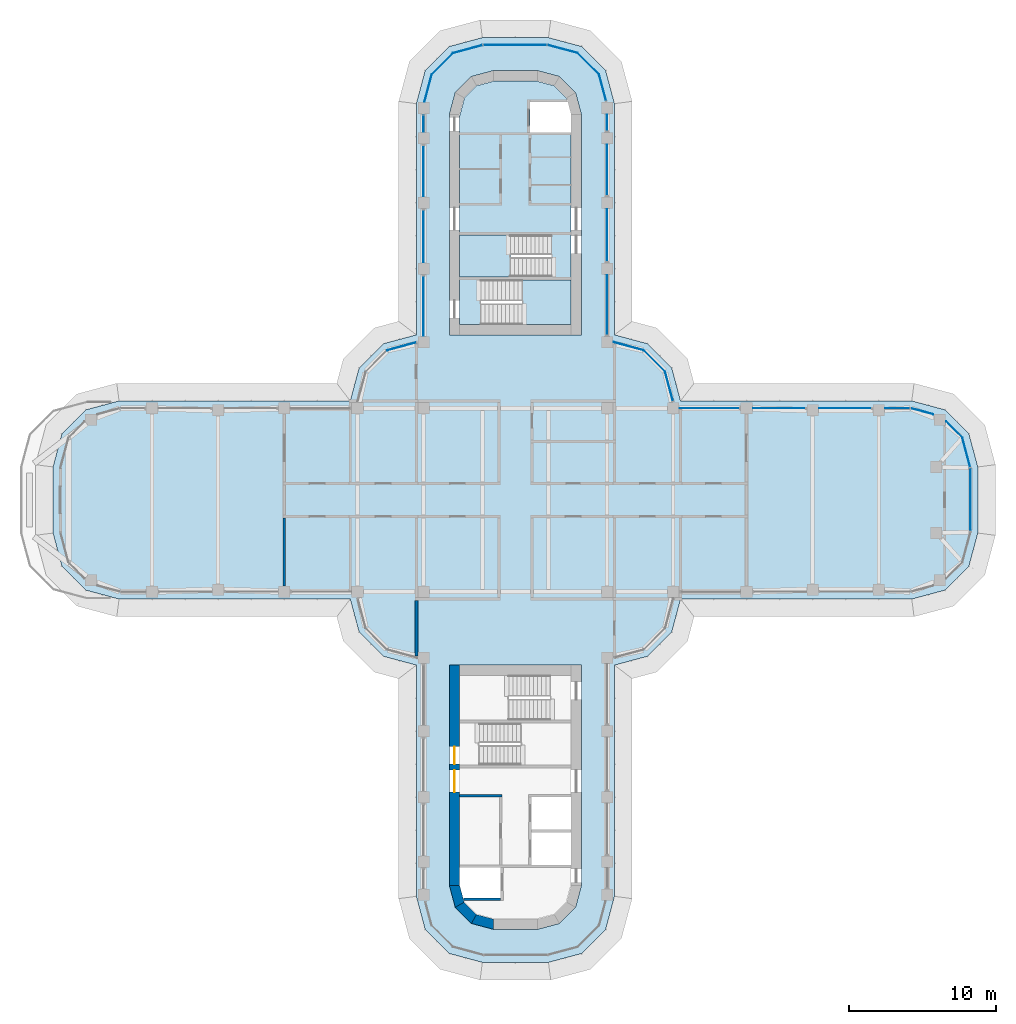
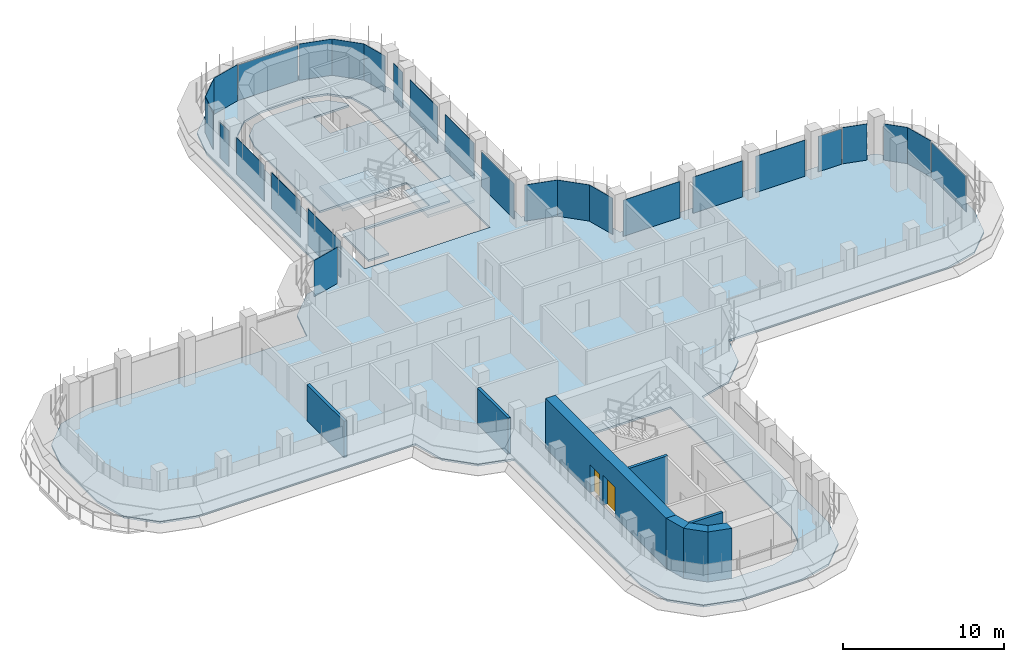
# One storey, part 13 of 20: 27 plates, 8 walls, 4 slabs, 2 doors, 2 openings, 20 elements without a shape of their own.
"""IFC4 building model written with IfcOpenShell, lengths in metres."""

from ifc_helpers import new_model, si_unit, direction, frame, frame_2d, origin, place, context, subcontext, project, spatial, polyline, rectangle, outline, extrude, source, transform, mapped, material, layer, layer_set, type_object, element, fill, aggregate, save


model = new_model("IFC4")

# Units and contexts
model_context = context("Model", 3, precision=1e-05, world=origin(), true_north=direction((0.0, 1.0)))
body_context = subcontext(model_context, "Body", "Model", "MODEL_VIEW")
ifc_project = project(units=[si_unit("LENGTHUNIT", "METRE"), si_unit("AREAUNIT", "SQUARE_METRE"), si_unit("VOLUMEUNIT", "CUBIC_METRE"), si_unit("PLANEANGLEUNIT", "RADIAN"), si_unit("MASSUNIT", "GRAM", prefix="KILO")], contexts=[model_context])

# Site, building, storey
site_placement = place(None, origin())
site = spatial("IfcSite", under=ifc_project, at=site_placement, CompositionType="ELEMENT")
building_placement = place(site_placement, origin())
building = spatial("IfcBuilding", under=site, at=building_placement, Name="Zarbagh Exchange Tower", CompositionType="ELEMENT")
storey_placement = place(building_placement, frame((0.0, 0.0, 186.60009765625)))
storey = spatial("IfcBuildingStorey", under=building, at=storey_placement, Name="L45", CompositionType="ELEMENT", Elevation=186.60009765625)

# Slabs
ifc_material_1 = material(Name="Concrete C40/50", Category="concrete")
ifc_layer_1 = layer(ifc_material_1, 0.14990234375)
ifc_layer_set_1 = layer_set([ifc_layer_1], Name="Composite floor slab 150 C40/50")
slab_type_1 = type_object("IfcSlabType", Name="Composite floor slab 150 C40/50", PredefinedType="FLOOR", material=ifc_layer_set_1)
slab_1_placement = place(storey_placement, frame((0.0, 0.0, -0.150146484375)))
element("IfcSlab", 1, at=slab_1_placement, inside=storey, type_object=slab_type_1, Name="S5 composite floor slab", PredefinedType="FLOOR", context=body_context, shape_type="SweptSolid", body=[
    extrude(outline(polyline([(-2.25, -31.5), (-4.5, -30.897216796875), (-6.147216796875, -29.25), (-6.75, -27.0), (-6.75, -11.25), (-9.0, -10.647216796875), (-10.647216796875, -9.0), (-11.25, -6.75), (-27.0, -6.75), (-29.25, -6.147216796875), (-30.897216796875, -4.5), (-31.5, -2.25), (-31.5, 2.25), (-30.897216796875, 4.5), (-29.25, 6.147216796875), (-27.0, 6.75), (-11.25, 6.75), (-10.647216796875, 9.0), (-9.0, 10.647216796875), (-6.75, 11.25), (-6.75, 27.0), (-6.147216796875, 29.25), (-4.5, 30.897216796875), (-2.25, 31.5), (2.25, 31.5), (4.5, 30.897216796875), (6.147216796875, 29.25), (6.75, 27.0), (6.75, 11.25), (9.0, 10.647216796875), (10.647216796875, 9.0), (11.25, 6.75), (27.0, 6.75), (29.25, 6.147216796875), (30.897216796875, 4.5), (31.5, 2.25), (31.5, -2.25), (30.897216796875, -4.5), (29.25, -6.147216796875), (27.0, -6.75), (11.25, -6.75), (10.647216796875, -9.0), (9.0, -10.647216796875), (6.75, -11.25), (6.75, -27.0), (6.147216796875, -29.25), (4.5, -30.897216796875), (2.25, -31.5), (-2.25, -31.5)]), holes=[polyline([(4.5, 11.25), (4.5, 26.25), (4.09814453125, 27.75), (3.0, 28.84814453125), (1.5, 29.25), (-1.5, 29.25), (-3.0, 28.84814453125), (-4.09814453125, 27.75), (-4.5, 26.25), (-4.5, 11.25), (4.5, 11.25)]), polyline([(-1.5, -29.25), (1.5, -29.25), (3.0, -28.84814453125), (4.09814453125, -27.75), (4.5, -26.25), (4.5, -11.25), (-4.5, -11.25), (-4.5, -26.25), (-4.09814453125, -27.75), (-3.0, -28.84814453125), (-1.5, -29.25)])]), origin(), (0.0, 0.0, 1.0), 0.150146484375),
])
ifc_layer_2 = layer(ifc_material_1, 0.14990234375)
ifc_layer_set_2 = layer_set([ifc_layer_2], Name="Core floor slab 150 C40/50")
slab_type_2 = type_object("IfcSlabType", Name="Core floor slab 150 C40/50", PredefinedType="FLOOR", material=ifc_layer_set_2)
slab_2_placement = place(storey_placement, frame((0.0, 0.0, -0.150146484375)))
element("IfcSlab", 2, at=slab_2_placement, inside=storey, type_object=slab_type_2, Name="S17 core N", PredefinedType="FLOOR", context=body_context, shape_type="SweptSolid", body=[
    extrude(outline(polyline([(-3.800048828125, 11.949951171875), (-3.800048828125, 15.199951171875), (2.449951171875, 15.199951171875), (2.449951171875, 18.050048828125), (-3.800048828125, 18.050048828125), (-3.800048828125, 26.15771484375), (-3.470458984375, 27.3876953125), (-2.6376953125, 28.220458984375), (-1.40771484375, 28.550048828125), (1.40771484375, 28.550048828125), (2.6376953125, 28.220458984375), (3.470458984375, 27.3876953125), (3.800048828125, 26.15771484375), (3.800048828125, 26.15771484375), (3.547607421875, 27.10009765625), (1.0, 27.10009765625), (1.0, 25.050048828125), (3.800048828125, 25.050048828125), (3.800048828125, 15.0), (-2.35009765625, 15.0), (-2.35009765625, 11.949951171875), (-3.800048828125, 11.949951171875)])), origin(), (0.0, 0.0, 1.0), 0.150146484375),
])

# Stair, slab
stair_type = type_object("IfcStairType", Name="Exit stair two-flight half-turn", PredefinedType="HALF_TURN_STAIR", material=ifc_material_1)
stair_1_placement = place(storey_placement, origin())
stair_1 = element("IfcStair", 3, at=stair_1_placement, inside=storey, type_object=stair_type, Name="exit stair ST1", PredefinedType="HALF_TURN_STAIR")
ifc_layer_3 = layer(ifc_material_1, 0.199951171875)
ifc_layer_set_3 = layer_set([ifc_layer_3], Name="Stair landing 200 mm")
slab_type_3 = type_object("IfcSlabType", Name="Stair landing 200 mm", PredefinedType="LANDING", material=ifc_layer_set_3)
slab_3_placement = place(storey_placement, frame((0.0, 0.0, 1.699951171875)))
slab_3 = element("IfcSlab", 4, at=slab_3_placement, type_object=slab_type_3, Name="ST1 landing 1", PredefinedType="LANDING", context=body_context, shape_type="SweptSolid", body=[
    extrude(outline(polyline([(-0.35009765625, 18.050048828125), (-3.800048828125, 18.050048828125), (-3.800048828125, 15.199951171875), (-0.35009765625, 15.199951171875), (-0.35009765625, 18.050048828125)])), origin(), (0.0, 0.0, 1.0), 0.199951171875),
])
aggregate(stair_1, [slab_3])

stair_2_placement = place(storey_placement, origin())
stair_2 = element("IfcStair", 5, at=stair_2_placement, inside=storey, type_object=stair_type, Name="exit stair ST2", PredefinedType="HALF_TURN_STAIR")
slab_4_placement = place(storey_placement, frame((0.0, 0.0, 1.699951171875)))
slab_4 = element("IfcSlab", 6, at=slab_4_placement, type_object=slab_type_3, Name="ST2 landing 1", PredefinedType="LANDING", context=body_context, shape_type="SweptSolid", body=[
    extrude(outline(polyline([(0.449951171875, 11.949951171875), (3.800048828125, 11.949951171875), (3.800048828125, 15.0), (0.449951171875, 15.0), (0.449951171875, 11.949951171875)])), origin(), (0.0, 0.0, 1.0), 0.199951171875),
])
aggregate(stair_2, [slab_4])

# Curtain wall, plate
ifc_material_2 = material(Name="Anodised aluminium frame and glazing", Category="aluminium")
curtain_wall_type = type_object("IfcCurtainWallType", Name="CWB Ribbon glazing, upper zones", PredefinedType="NOTDEFINED", material=ifc_material_2)
curtain_wall_1_placement = place(storey_placement, origin())
curtain_wall_1 = element("IfcCurtainWall", 7, at=curtain_wall_1_placement, inside=storey, type_object=curtain_wall_type, Name="CWB18 curtain wall", PredefinedType="NOTDEFINED")
ifc_material_3 = material(Name="Low-e double glazed unit, 6+12+6 mm")
ifc_layer_4 = layer(ifc_material_3, 0.031982421875)
ifc_layer_set_4 = layer_set([ifc_layer_4], Name="PAB Glazing panel, Low-e double glazed unit, 6+12+6 mm")
plate_type = type_object("IfcPlateType", Name="PAB Glazing panel, Low-e double glazed unit, 6+12+6 mm", PredefinedType="CURTAIN_PANEL", material=ifc_layer_set_4)
shared_shape_1 = source(origin(), body_context, "Body", "SweptSolid", [
    extrude(outline(polyline([(0.0, -0.01611328125), (2.061279296875, -0.01611328125), (2.061279296875, 0.01611328125), (0.0, 0.01611328125), (0.0, -0.01611328125)])), origin(), (0.0, 0.0, 1.0), 2.75),
])
placement = place(storey_placement, origin())
plate_1 = element("IfcPlate", 8, at=placement, type_object=plate_type, Name="CWB18 glazing panel 1.1", PredefinedType="CURTAIN_PANEL", context=body_context, shape_type="MappedRepresentation", body=[
    mapped(shared_shape_1, transform((10.19873046875, 8.7412109375, 0.0), x_axis=(-0.707106781187, 0.707106781187, 0.0), y_axis=(-0.707106781187, -0.707106781187, 0.0), z_axis=(0.0, 0.0, 1.0))),
])
aggregate(curtain_wall_1, [plate_1])

curtain_wall_2_placement = place(storey_placement, origin())
curtain_wall_2 = element("IfcCurtainWall", 9, at=curtain_wall_2_placement, inside=storey, type_object=curtain_wall_type, Name="CWB22 curtain wall", PredefinedType="NOTDEFINED")
plate_2 = element("IfcPlate", 10, at=placement, type_object=plate_type, Name="CWB22 glazing panel 1.1", PredefinedType="CURTAIN_PANEL", context=body_context, shape_type="MappedRepresentation", body=[
    mapped(shared_shape_1, transform((5.69873046875, 28.9912109375, 0.0), x_axis=(-0.707106781187, 0.707106781187, 0.0), y_axis=(-0.707106781187, -0.707106781187, 0.0), z_axis=(0.0, 0.0, 1.0))),
])
aggregate(curtain_wall_2, [plate_2])

curtain_wall_3_placement = place(storey_placement, origin())
curtain_wall_3 = element("IfcCurtainWall", 11, at=curtain_wall_3_placement, inside=storey, type_object=curtain_wall_type, Name="CWB26 curtain wall", PredefinedType="NOTDEFINED")
plate_3 = element("IfcPlate", 12, at=placement, type_object=plate_type, Name="CWB26 glazing panel 1.1", PredefinedType="CURTAIN_PANEL", context=body_context, shape_type="MappedRepresentation", body=[
    mapped(shared_shape_1, transform((-4.2412109375, 30.44873046875, 0.0), x_axis=(-0.707106781187, -0.707106781187, 0.0), y_axis=(0.707106781187, -0.707106781187, 0.0), z_axis=(0.0, 0.0, 1.0))),
])
aggregate(curtain_wall_3, [plate_3])

curtain_wall_4_placement = place(storey_placement, origin())
curtain_wall_4 = element("IfcCurtainWall", 13, at=curtain_wall_4_placement, inside=storey, type_object=curtain_wall_type, Name="CWB23 curtain wall", PredefinedType="NOTDEFINED")
shared_shape_2 = source(origin(), body_context, "Body", "SweptSolid", [
    extrude(outline(polyline([(0.0, -0.01611328125), (2.129638671875, -0.01611328125), (2.129638671875, 0.01611328125), (0.0, 0.01611328125), (0.0, -0.01611328125)])), origin(), (0.0, 0.0, 1.0), 2.75),
])
plate_4 = element("IfcPlate", 14, at=placement, type_object=plate_type, Name="CWB23 glazing panel 1.1", PredefinedType="CURTAIN_PANEL", context=body_context, shape_type="MappedRepresentation", body=[
    mapped(shared_shape_2, transform((4.2412109375, 30.44873046875, 0.0), x_axis=(-0.965924289636, 0.258824779902, 0.0), y_axis=(-0.258824779902, -0.965924289636, 0.0), z_axis=(0.0, 0.0, 1.0))),
])
aggregate(curtain_wall_4, [plate_4])

curtain_wall_5_placement = place(storey_placement, origin())
curtain_wall_5 = element("IfcCurtainWall", 15, at=curtain_wall_5_placement, inside=storey, type_object=curtain_wall_type, Name="CWB20 curtain wall", PredefinedType="NOTDEFINED")
shared_shape_3 = source(origin(), body_context, "Body", "SweptSolid", [
    extrude(outline(polyline([(0.0, -0.01611328125), (3.4599609375, -0.01611328125), (3.4599609375, 0.01611328125), (0.0, 0.01611328125), (0.0, -0.01611328125)])), origin(), (0.0, 0.0, 1.0), 2.75),
])
plate_5 = element("IfcPlate", 16, at=placement, type_object=plate_type, Name="CWB20 glazing panel 3.1", PredefinedType="CURTAIN_PANEL", context=body_context, shape_type="MappedRepresentation", body=[
    mapped(shared_shape_3, transform((6.25, 20.75, 0.0), x_axis=(0.0, 1.0, 0.0), y_axis=(-1.0, 0.0, 0.0), z_axis=(0.0, 0.0, 1.0))),
])

curtain_wall_6_placement = place(storey_placement, origin())
curtain_wall_6 = element("IfcCurtainWall", 17, at=curtain_wall_6_placement, inside=storey, type_object=curtain_wall_type, Name="CWB28 curtain wall", PredefinedType="NOTDEFINED")
plate_6 = element("IfcPlate", 18, at=placement, type_object=plate_type, Name="CWB28 glazing panel 2.1", PredefinedType="CURTAIN_PANEL", context=body_context, shape_type="MappedRepresentation", body=[
    mapped(shared_shape_3, transform((-6.25, 24.14990234375, 0.0), x_axis=(0.0, -1.0, 0.0), y_axis=(1.0, 0.0, 0.0), z_axis=(0.0, 0.0, 1.0))),
])

# Curtain wall, plates
curtain_wall_7_placement = place(storey_placement, origin())
curtain_wall_7 = element("IfcCurtainWall", 19, at=curtain_wall_7_placement, inside=storey, type_object=curtain_wall_type, Name="CWB16 curtain wall", PredefinedType="NOTDEFINED")
shared_shape_4 = source(origin(), body_context, "Body", "SweptSolid", [
    extrude(outline(polyline([(0.0, -0.01611328125), (3.56005859375, -0.01611328125), (3.56005859375, 0.01611328125), (0.0, 0.01611328125), (0.0, -0.01611328125)])), origin(), (0.0, 0.0, 1.0), 2.75),
])
plate_7 = element("IfcPlate", 20, at=placement, type_object=plate_type, Name="CWB16 glazing panel 2.1", PredefinedType="CURTAIN_PANEL", context=body_context, shape_type="MappedRepresentation", body=[
    mapped(shared_shape_4, transform((24.25, 6.25, 0.0), x_axis=(-1.0, 0.0, 0.0), y_axis=(0.0, -1.0, 0.0), z_axis=(0.0, 0.0, 1.0))),
])
plate_8 = element("IfcPlate", 21, at=placement, type_object=plate_type, Name="CWB16 glazing panel 3.1", PredefinedType="CURTAIN_PANEL", context=body_context, shape_type="MappedRepresentation", body=[
    mapped(shared_shape_4, transform((19.75, 6.25, 0.0), x_axis=(-1.0, 0.0, 0.0), y_axis=(0.0, -1.0, 0.0), z_axis=(0.0, 0.0, 1.0))),
])

# Plate
plate_9 = element("IfcPlate", 22, at=placement, type_object=plate_type, Name="CWB20 glazing panel 2.1", PredefinedType="CURTAIN_PANEL", context=body_context, shape_type="MappedRepresentation", body=[
    mapped(shared_shape_4, transform((6.25, 16.25, 0.0), x_axis=(0.0, 1.0, 0.0), y_axis=(-1.0, 0.0, 0.0), z_axis=(0.0, 0.0, 1.0))),
])

plate_10 = element("IfcPlate", 23, at=placement, type_object=plate_type, Name="CWB28 glazing panel 3.1", PredefinedType="CURTAIN_PANEL", context=body_context, shape_type="MappedRepresentation", body=[
    mapped(shared_shape_4, transform((-6.25, 19.75, 0.0), x_axis=(0.0, -1.0, 0.0), y_axis=(1.0, 0.0, 0.0), z_axis=(0.0, 0.0, 1.0))),
])

shared_shape_5 = source(origin(), body_context, "Body", "SweptSolid", [
    extrude(outline(polyline([(0.0, -0.01611328125), (4.06005859375, -0.01611328125), (4.06005859375, 0.01611328125), (0.0, 0.01611328125), (0.0, -0.01611328125)])), origin(), (0.0, 0.0, 1.0), 2.75),
])
plate_11 = element("IfcPlate", 24, at=placement, type_object=plate_type, Name="CWB16 glazing panel 4.1", PredefinedType="CURTAIN_PANEL", context=body_context, shape_type="MappedRepresentation", body=[
    mapped(shared_shape_5, transform((15.25, 6.25, 0.0), x_axis=(-1.0, 0.0, 0.0), y_axis=(0.0, -1.0, 0.0), z_axis=(0.0, 0.0, 1.0))),
])

plate_12 = element("IfcPlate", 25, at=placement, type_object=plate_type, Name="CWB28 glazing panel 4.1", PredefinedType="CURTAIN_PANEL", context=body_context, shape_type="MappedRepresentation", body=[
    mapped(shared_shape_5, transform((-6.25, 15.25, 0.0), x_axis=(0.0, -1.0, 0.0), y_axis=(1.0, 0.0, 0.0), z_axis=(0.0, 0.0, 1.0))),
])

# Curtain wall, plate
curtain_wall_8_placement = place(storey_placement, origin())
curtain_wall_8 = element("IfcCurtainWall", 26, at=curtain_wall_8_placement, inside=storey, type_object=curtain_wall_type, Name="CWB17 curtain wall", PredefinedType="NOTDEFINED")
shared_shape_6 = source(origin(), body_context, "Body", "SweptSolid", [
    extrude(outline(polyline([(0.0, -0.01611328125), (2.063720703125, -0.01611328125), (2.063720703125, 0.01611328125), (0.0, 0.01611328125), (0.0, -0.01611328125)])), origin(), (0.0, 0.0, 1.0), 2.75),
])
plate_13 = element("IfcPlate", 27, at=placement, type_object=plate_type, Name="CWB17 glazing panel 1.1", PredefinedType="CURTAIN_PANEL", context=body_context, shape_type="MappedRepresentation", body=[
    mapped(shared_shape_6, transform((10.73291015625, 6.748046875, 0.0), x_axis=(-0.258824779902, 0.965924289636, 0.0), y_axis=(-0.965924289636, -0.258824779902, 0.0), z_axis=(0.0, 0.0, 1.0))),
])
aggregate(curtain_wall_8, [plate_13])

curtain_wall_9_placement = place(storey_placement, origin())
curtain_wall_9 = element("IfcCurtainWall", 28, at=curtain_wall_9_placement, inside=storey, type_object=curtain_wall_type, Name="CWB29 curtain wall", PredefinedType="NOTDEFINED")
plate_14 = element("IfcPlate", 29, at=placement, type_object=plate_type, Name="CWB29 glazing panel 1.1", PredefinedType="CURTAIN_PANEL", context=body_context, shape_type="MappedRepresentation", body=[
    mapped(shared_shape_6, transform((-6.748046875, 10.73291015625, 0.0), x_axis=(-0.965924289636, -0.258824779902, 0.0), y_axis=(0.258824779902, -0.965924289636, 0.0), z_axis=(0.0, 0.0, 1.0))),
])
aggregate(curtain_wall_9, [plate_14])

curtain_wall_10_placement = place(storey_placement, origin())
curtain_wall_10 = element("IfcCurtainWall", 30, at=curtain_wall_10_placement, inside=storey, type_object=curtain_wall_type, Name="CWB19 curtain wall", PredefinedType="NOTDEFINED")
shared_shape_7 = source(origin(), body_context, "Body", "SweptSolid", [
    extrude(outline(polyline([(0.0, -0.01611328125), (2.12353515625, -0.01611328125), (2.12353515625, 0.01611328125), (0.0, 0.01611328125), (0.0, -0.01611328125)])), origin(), (0.0, 0.0, 1.0), 2.75),
])
plate_15 = element("IfcPlate", 31, at=placement, type_object=plate_type, Name="CWB19 glazing panel 1.1", PredefinedType="CURTAIN_PANEL", context=body_context, shape_type="MappedRepresentation", body=[
    mapped(shared_shape_7, transform((8.7412109375, 10.19873046875, 0.0), x_axis=(-0.965924289636, 0.258824779902, 0.0), y_axis=(-0.258824779902, -0.965924289636, 0.0), z_axis=(0.0, 0.0, 1.0))),
])
aggregate(curtain_wall_10, [plate_15])

# Plate
shared_shape_8 = source(origin(), body_context, "Body", "SweptSolid", [
    extrude(outline(polyline([(0.0, -0.01611328125), (4.06005859375, -0.01611328125), (4.06005859375, 0.01611328125), (0.0, 0.01611328125), (0.0, -0.01611328125)])), origin(), (0.0, 0.0, 1.0), 2.68994140625),
])
plate_16 = element("IfcPlate", 32, at=placement, type_object=plate_type, Name="CWB20 glazing panel 1.1", PredefinedType="CURTAIN_PANEL", context=body_context, shape_type="MappedRepresentation", body=[
    mapped(shared_shape_8, transform((6.25, 11.25, 0.0), x_axis=(0.0, 1.0, 0.0), y_axis=(-1.0, 0.0, 0.0), z_axis=(0.0, 0.0, 1.0))),
])

# Curtain wall, plate
curtain_wall_11_placement = place(storey_placement, origin())
curtain_wall_11 = element("IfcCurtainWall", 33, at=curtain_wall_11_placement, inside=storey, type_object=curtain_wall_type, Name="CWB14 curtain wall", PredefinedType="NOTDEFINED")
shared_shape_9 = source(origin(), body_context, "Body", "SweptSolid", [
    extrude(outline(polyline([(0.0, -0.01611328125), (1.556884765625, -0.01611328125), (1.556884765625, 0.01611328125), (0.0, 0.01611328125), (0.0, -0.01611328125)])), origin(), (0.0, 0.0, 1.0), 2.75),
])
plate_17 = element("IfcPlate", 34, at=placement, type_object=plate_type, Name="CWB14 glazing panel 1.1", PredefinedType="CURTAIN_PANEL", context=body_context, shape_type="MappedRepresentation", body=[
    mapped(shared_shape_9, transform((30.44873046875, 4.2412109375, 0.0), x_axis=(-0.707106781187, 0.707106781187, 0.0), y_axis=(-0.707106781187, -0.707106781187, 0.0), z_axis=(0.0, 0.0, 1.0))),
])
aggregate(curtain_wall_11, [plate_17])

curtain_wall_12_placement = place(storey_placement, origin())
curtain_wall_12 = element("IfcCurtainWall", 35, at=curtain_wall_12_placement, inside=storey, type_object=curtain_wall_type, Name="CWB12 curtain wall", PredefinedType="NOTDEFINED")
shared_shape_10 = source(origin(), body_context, "Body", "SweptSolid", [
    extrude(outline(polyline([(0.0, -0.01611328125), (4.308349609375, -0.01611328125), (4.308349609375, 0.01611328125), (0.0, 0.01611328125), (0.0, -0.01611328125)])), origin(), (0.0, 0.0, 1.0), 2.68994140625),
])
plate_18 = element("IfcPlate", 36, at=placement, type_object=plate_type, Name="CWB12 glazing panel 1.1", PredefinedType="CURTAIN_PANEL", context=body_context, shape_type="MappedRepresentation", body=[
    mapped(shared_shape_10, transform((31.0, -2.124267578125, 0.0), x_axis=(0.0, 1.0, 0.0), y_axis=(-1.0, 0.0, 0.0), z_axis=(0.0, 0.0, 1.0))),
])
aggregate(curtain_wall_12, [plate_18])

curtain_wall_13_placement = place(storey_placement, origin())
curtain_wall_13 = element("IfcCurtainWall", 37, at=curtain_wall_13_placement, inside=storey, type_object=curtain_wall_type, Name="CWB24 curtain wall", PredefinedType="NOTDEFINED")
plate_19 = element("IfcPlate", 38, at=placement, type_object=plate_type, Name="CWB24 glazing panel 1.1", PredefinedType="CURTAIN_PANEL", context=body_context, shape_type="MappedRepresentation", body=[
    mapped(shared_shape_10, transform((2.124267578125, 31.0, 0.0), x_axis=(-1.0, 0.0, 0.0), y_axis=(0.0, -1.0, 0.0), z_axis=(0.0, 0.0, 1.0))),
])
aggregate(curtain_wall_13, [plate_19])

curtain_wall_14_placement = place(storey_placement, origin())
curtain_wall_14 = element("IfcCurtainWall", 39, at=curtain_wall_14_placement, inside=storey, type_object=curtain_wall_type, Name="CWB13 curtain wall", PredefinedType="NOTDEFINED")
shared_shape_11 = source(origin(), body_context, "Body", "SweptSolid", [
    extrude(outline(polyline([(0.0, -0.01611328125), (2.069580078125, -0.01611328125), (2.069580078125, 0.01611328125), (0.0, 0.01611328125), (0.0, -0.01611328125)])), origin(), (0.0, 0.0, 1.0), 2.75),
])
plate_20 = element("IfcPlate", 40, at=placement, type_object=plate_type, Name="CWB13 glazing panel 1.1", PredefinedType="CURTAIN_PANEL", context=body_context, shape_type="MappedRepresentation", body=[
    mapped(shared_shape_11, transform((30.984375, 2.2421875, 0.0), x_axis=(-0.258824779902, 0.965924289636, 0.0), y_axis=(-0.965924289636, -0.258824779902, 0.0), z_axis=(0.0, 0.0, 1.0))),
])
aggregate(curtain_wall_14, [plate_20])

curtain_wall_15_placement = place(storey_placement, origin())
curtain_wall_15 = element("IfcCurtainWall", 41, at=curtain_wall_15_placement, inside=storey, type_object=curtain_wall_type, Name="CWB25 curtain wall", PredefinedType="NOTDEFINED")
plate_21 = element("IfcPlate", 42, at=placement, type_object=plate_type, Name="CWB25 glazing panel 1.1", PredefinedType="CURTAIN_PANEL", context=body_context, shape_type="MappedRepresentation", body=[
    mapped(shared_shape_11, transform((-2.2421875, 30.984375, 0.0), x_axis=(-0.965924289636, -0.258824779902, 0.0), y_axis=(0.258824779902, -0.965924289636, 0.0), z_axis=(0.0, 0.0, 1.0))),
])
aggregate(curtain_wall_15, [plate_21])

curtain_wall_16_placement = place(storey_placement, origin())
curtain_wall_16 = element("IfcCurtainWall", 43, at=curtain_wall_16_placement, inside=storey, type_object=curtain_wall_type, Name="CWB15 curtain wall", PredefinedType="NOTDEFINED")
shared_shape_12 = source(origin(), body_context, "Body", "SweptSolid", [
    extrude(outline(polyline([(0.0, -0.01611328125), (1.587890625, -0.01611328125), (1.587890625, 0.01611328125), (0.0, 0.01611328125), (0.0, -0.01611328125)])), origin(), (0.0, 0.0, 1.0), 2.75),
])
plate_22 = element("IfcPlate", 44, at=placement, type_object=plate_type, Name="CWB15 glazing panel 1.1", PredefinedType="CURTAIN_PANEL", context=body_context, shape_type="MappedRepresentation", body=[
    mapped(shared_shape_12, transform((28.468017578125, 5.839111328125, 0.0), x_axis=(-0.965924289636, 0.258824779902, 0.0), y_axis=(-0.258824779902, -0.965924289636, 0.0), z_axis=(0.0, 0.0, 1.0))),
])
aggregate(curtain_wall_16, [plate_22])

# Plate
shared_shape_13 = source(origin(), body_context, "Body", "SweptSolid", [
    extrude(outline(polyline([(0.0, -0.01611328125), (1.68408203125, -0.01611328125), (1.68408203125, 0.01611328125), (0.0, 0.01611328125), (0.0, -0.01611328125)])), origin(), (0.0, 0.0, 1.0), 2.68994140625),
])
plate_23 = element("IfcPlate", 45, at=placement, type_object=plate_type, Name="CWB16 glazing panel 1.1", PredefinedType="CURTAIN_PANEL", context=body_context, shape_type="MappedRepresentation", body=[
    mapped(shared_shape_13, transform((26.874267578125, 6.25, 0.0), x_axis=(-1.0, 0.0, 0.0), y_axis=(0.0, -1.0, 0.0), z_axis=(0.0, 0.0, 1.0))),
])

aggregate(curtain_wall_7, [plate_23, plate_7, plate_8, plate_11])

shared_shape_14 = source(origin(), body_context, "Body", "SweptSolid", [
    extrude(outline(polyline([(0.0, -0.01611328125), (1.110107421875, -0.01611328125), (1.110107421875, 0.01611328125), (0.0, 0.01611328125), (0.0, -0.01611328125)])), origin(), (0.0, 0.0, 1.0), 2.75),
])
plate_24 = element("IfcPlate", 46, at=placement, type_object=plate_type, Name="CWB20 glazing panel 4.1", PredefinedType="CURTAIN_PANEL", context=body_context, shape_type="MappedRepresentation", body=[
    mapped(shared_shape_14, transform((6.25, 25.150146484375, 0.0), x_axis=(0.0, 1.0, 0.0), y_axis=(-1.0, 0.0, 0.0), z_axis=(0.0, 0.0, 1.0))),
])

aggregate(curtain_wall_5, [plate_16, plate_9, plate_5, plate_24])

# Curtain wall, plate
curtain_wall_17_placement = place(storey_placement, origin())
curtain_wall_17 = element("IfcCurtainWall", 47, at=curtain_wall_17_placement, inside=storey, type_object=curtain_wall_type, Name="CWB21 curtain wall", PredefinedType="NOTDEFINED")
shared_shape_15 = source(origin(), body_context, "Body", "SweptSolid", [
    extrude(outline(polyline([(0.0, -0.01611328125), (1.8564453125, -0.01611328125), (1.8564453125, 0.01611328125), (0.0, 0.01611328125), (0.0, -0.01611328125)])), origin(), (0.0, 0.0, 1.0), 2.75),
])
plate_25 = element("IfcPlate", 48, at=placement, type_object=plate_type, Name="CWB21 glazing panel 1.1", PredefinedType="CURTAIN_PANEL", context=body_context, shape_type="MappedRepresentation", body=[
    mapped(shared_shape_15, transform((6.17919921875, 27.197998046875, 0.0), x_axis=(-0.258824779902, 0.965924289636, 0.0), y_axis=(-0.965924289636, -0.258824779902, 0.0), z_axis=(0.0, 0.0, 1.0))),
])
aggregate(curtain_wall_17, [plate_25])

curtain_wall_18_placement = place(storey_placement, origin())
curtain_wall_18 = element("IfcCurtainWall", 49, at=curtain_wall_18_placement, inside=storey, type_object=curtain_wall_type, Name="CWB27 curtain wall", PredefinedType="NOTDEFINED")
shared_shape_16 = source(origin(), body_context, "Body", "SweptSolid", [
    extrude(outline(polyline([(0.0, -0.01611328125), (1.91650390625, -0.01611328125), (1.91650390625, 0.01611328125), (0.0, 0.01611328125), (0.0, -0.01611328125)])), origin(), (0.0, 0.0, 1.0), 2.75),
])
plate_26 = element("IfcPlate", 50, at=placement, type_object=plate_type, Name="CWB27 glazing panel 1.1", PredefinedType="CURTAIN_PANEL", context=body_context, shape_type="MappedRepresentation", body=[
    mapped(shared_shape_16, transform((-5.69873046875, 28.9912109375, 0.0), x_axis=(-0.258824779902, -0.965924289636, 0.0), y_axis=(0.965924289636, -0.258824779902, 0.0), z_axis=(0.0, 0.0, 1.0))),
])
aggregate(curtain_wall_18, [plate_26])

# Plate
shared_shape_17 = source(origin(), body_context, "Body", "SweptSolid", [
    extrude(outline(polyline([(0.0, -0.01611328125), (1.110107421875, -0.01611328125), (1.110107421875, 0.01611328125), (0.0, 0.01611328125), (0.0, -0.01611328125)])), origin(), (0.0, 0.0, 1.0), 2.68994140625),
])
plate_27 = element("IfcPlate", 51, at=placement, type_object=plate_type, Name="CWB28 glazing panel 1.1", PredefinedType="CURTAIN_PANEL", context=body_context, shape_type="MappedRepresentation", body=[
    mapped(shared_shape_17, transform((-6.25, 26.199951171875, 0.0), x_axis=(0.0, -1.0, 0.0), y_axis=(1.0, 0.0, 0.0), z_axis=(0.0, 0.0, 1.0))),
])

aggregate(curtain_wall_6, [plate_27, plate_6, plate_10, plate_12])

# Walls
ifc_material_4 = material(Name="Fire-rated plasterboard partition")
ifc_layer_5 = layer(ifc_material_4, 0.199951171875)
ifc_layer_set_5 = layer_set([ifc_layer_5], Name="RATED PARTITION 200")
wall_type_1 = type_object("IfcWallType", Name="RATED PARTITION 200", PredefinedType="PARTITIONING", material=ifc_layer_set_5)
wall_1_placement = place(storey_placement, frame((-6.75, -10.6298828125, 0.0), z_axis=(0.0, 0.0, 1.0), x_axis=(0.0, 1.0, 0.0)))
element("IfcWall", 52, at=wall_1_placement, inside=storey, type_object=wall_type_1, Name="Partition W-2027", PredefinedType="PARTITIONING", context=body_context, shape_type="SweptSolid", body=[
    extrude(rectangle(XDim=3.77978515625, YDim=0.199951171875, at=frame_2d((1.889892578125, 0.0))), origin(), (0.0, 0.0, 1.0), 2.74560546875),
])
wall_2_placement = place(storey_placement, frame((-15.75, -5.85009765625, 0.0), z_axis=(0.0, 0.0, 1.0), x_axis=(0.0, 1.0, 0.0)))
element("IfcWall", 53, at=wall_2_placement, inside=storey, type_object=wall_type_1, Name="Partition W-2044", PredefinedType="PARTITIONING", context=body_context, shape_type="SweptSolid", body=[
    extrude(rectangle(XDim=4.625, YDim=0.199951171875, at=frame_2d((2.3125, 0.0))), origin(), (0.0, 0.0, 1.0), 2.74560546875),
])
ifc_material_5 = material(Name="Concrete C50/60", Category="concrete")
ifc_layer_6 = layer(ifc_material_5, 0.699951171875)
ifc_layer_set_6 = layer_set([ifc_layer_6], Name="RC core corner wall 700 C50/60")
wall_type_2 = type_object("IfcWallType", Name="RC core corner wall 700 C50/60", PredefinedType="SHEAR", material=ifc_layer_set_6)
wall_3_placement = place(storey_placement, origin())
element("IfcWall", 54, at=wall_3_placement, inside=storey, type_object=wall_type_2, Name="CW6 core S corner W", PredefinedType="SHEAR", context=body_context, shape_type="SweptSolid", body=[
    extrude(outline(polyline([(-4.5, -26.25), (-4.09814453125, -27.75), (-3.491943359375, -27.39990234375), (-3.800048828125, -26.25), (-4.5, -26.25)])), origin(), (0.0, 0.0, 1.0), 3.7998046875),
])
wall_4_placement = place(storey_placement, origin())
element("IfcWall", 55, at=wall_4_placement, inside=storey, type_object=wall_type_2, Name="CW6 core S corner W", PredefinedType="SHEAR", context=body_context, shape_type="SweptSolid", body=[
    extrude(outline(polyline([(-4.09814453125, -27.75), (-3.0, -28.84814453125), (-2.64990234375, -28.241943359375), (-3.491943359375, -27.39990234375), (-4.09814453125, -27.75)])), origin(), (0.0, 0.0, 1.0), 3.7998046875),
])
wall_5_placement = place(storey_placement, origin())
element("IfcWall", 56, at=wall_5_placement, inside=storey, type_object=wall_type_2, Name="CW6 core S corner W", PredefinedType="SHEAR", context=body_context, shape_type="SweptSolid", body=[
    extrude(outline(polyline([(-3.0, -28.84814453125), (-1.5, -29.25), (-1.5, -28.550048828125), (-2.64990234375, -28.241943359375), (-3.0, -28.84814453125)])), origin(), (0.0, 0.0, 1.0), 3.7998046875),
])

# Wall, openings, doors
ifc_layer_7 = layer(ifc_material_5, 0.699951171875)
ifc_layer_set_7 = layer_set([ifc_layer_7], Name="RC core wall 700 C50/60")
wall_type_3 = type_object("IfcWallType", Name="RC core wall 700 C50/60", PredefinedType="SHEAR", material=ifc_layer_set_7)
wall_6_placement = place(storey_placement, frame((-4.14990234375, -11.25, 0.0), z_axis=(0.0, 0.0, 1.0), x_axis=(0.0, -1.0, 0.0)))
wall_6 = element("IfcWall", 57, at=wall_6_placement, inside=storey, type_object=wall_type_3, Name="CW5 core S W", PredefinedType="SHEAR", context=body_context, shape_type="SweptSolid", body=[
    extrude(rectangle(XDim=15.0, YDim=0.699951171875, at=frame_2d((7.5, 0.0))), origin(), (0.0, 0.0, 1.0), 3.7998046875),
])
opening_1_placement = place(wall_6_placement, frame((7.14990234375, 0.0, 0.0)))
opening_1 = element("IfcOpeningElement", 58, at=opening_1_placement, cuts=wall_6, Name="Opening CD1-1500", PredefinedType="OPENING", context=body_context, shape_type="SweptSolid", body=[
    extrude(rectangle(XDim=1.5, YDim=2.300048828125, at=frame_2d((0.75, 1.14990234375))), frame((0.0, 0.35986328125, 0.0), z_axis=(0.0, -1.0, 0.0), x_axis=(1.0, 0.0, 0.0)), (0.0, 0.0, 1.0), 0.719970703125),
])
opening_2_placement = place(wall_6_placement, frame((5.550048828125, 0.0, 0.0)))
opening_2 = element("IfcOpeningElement", 59, at=opening_2_placement, cuts=wall_6, Name="Opening SD1-1200", PredefinedType="OPENING", context=body_context, shape_type="SweptSolid", body=[
    extrude(rectangle(XDim=1.199951171875, YDim=2.10009765625, at=frame_2d((0.60009765625, 1.050048828125))), frame((0.0, 0.35986328125, 0.0), z_axis=(0.0, -1.0, 0.0), x_axis=(1.0, 0.0, 0.0)), (0.0, 0.0, 1.0), 0.719970703125),
])
ifc_material_6 = material(Name="Steel", Category="steel")
door_type_1 = type_object("IfcDoorType", Name="Exit stair door 1200 x 2100", OperationType="NOTDEFINED", PredefinedType="DOOR", material=ifc_material_6)
door_1_placement = place(opening_2_placement, origin())
door_1 = element("IfcDoor", 60, at=door_1_placement, inside=storey, type_object=door_type_1, Name="South core stair door ST1", OperationType="SINGLE_SWING_LEFT", OverallHeight=2.10009765625, OverallWidth=1.199951171875, PredefinedType="DOOR", context=body_context, shape_type="SweptSolid", body=[
    extrude(rectangle(XDim=1.199951171875, YDim=2.10009765625, at=frame_2d((0.60009765625, 1.050048828125))), frame((0.0, 0.02490234375, 0.0), z_axis=(0.0, -1.0, 0.0), x_axis=(1.0, 0.0, 0.0)), (0.0, 0.0, 1.0), 0.050048828125),
])
fill(opening_2, door_1)
door_type_2 = type_object("IfcDoorType", Name="Lift lobby double door 1500 x 2300", OperationType="NOTDEFINED", PredefinedType="DOOR", material=ifc_material_6)
door_2_placement = place(opening_1_placement, origin())
door_2 = element("IfcDoor", 61, at=door_2_placement, inside=storey, type_object=door_type_2, Name="South core lift lobby door LOBBY-E", OperationType="DOUBLE_DOOR_SINGLE_SWING", OverallHeight=2.300048828125, OverallWidth=1.5, PredefinedType="DOOR", context=body_context, shape_type="SweptSolid", body=[
    extrude(rectangle(XDim=1.5, YDim=2.300048828125, at=frame_2d((0.75, 1.14990234375))), frame((0.0, 0.02490234375, 0.0), z_axis=(0.0, -1.0, 0.0), x_axis=(1.0, 0.0, 0.0)), (0.0, 0.0, 1.0), 0.050048828125),
])
fill(opening_1, door_2)

# Walls
ifc_material_7 = material(Name="Dense blockwork", Category="masonry")
ifc_layer_8 = layer(ifc_material_7, 0.199951171875)
ifc_layer_set_8 = layer_set([ifc_layer_8], Name="Shaft wall 200 mm blockwork")
wall_type_4 = type_object("IfcWallType", Name="Shaft wall 200 mm blockwork", PredefinedType="PARTITIONING", material=ifc_layer_set_8)
wall_7_placement = place(storey_placement, frame((-0.89990234375, -20.14990234375, 0.0), z_axis=(0.0, 0.0, 1.0), x_axis=(-1.0, 0.0, 0.0)))
element("IfcWall", 62, at=wall_7_placement, inside=storey, type_object=wall_type_4, Name="South core shaft wall AB-E", PredefinedType="PARTITIONING", context=body_context, shape_type="SweptSolid", body=[
    extrude(rectangle(XDim=2.900146484375, YDim=0.199951171875, at=frame_2d((1.4501953125, 0.0))), origin(), (0.0, 0.0, 1.0), 3.64990234375),
])
ifc_layer_9 = layer(ifc_material_1, 0.199951171875)
ifc_layer_set_9 = layer_set([ifc_layer_9], Name="Stair enclosure wall 200 mm RC C40/50")
wall_type_5 = type_object("IfcWallType", Name="Stair enclosure wall 200 mm RC C40/50", PredefinedType="SHEAR", material=ifc_layer_set_9)
wall_8_placement = place(storey_placement, origin())
element("IfcWall", 63, at=wall_8_placement, inside=storey, type_object=wall_type_5, Name="South core lift shaft wall FFX", PredefinedType="SHEAR", context=body_context, shape_type="SweptSolid", body=[
    extrude(outline(polyline([(-1.0, -27.10009765625), (-3.547607421875, -27.10009765625), (-3.493896484375, -27.300048828125), (-1.0, -27.300048828125), (-1.0, -27.10009765625)])), origin(), (0.0, 0.0, 1.0), 3.64990234375),
])

save(model, "model.ifc")
